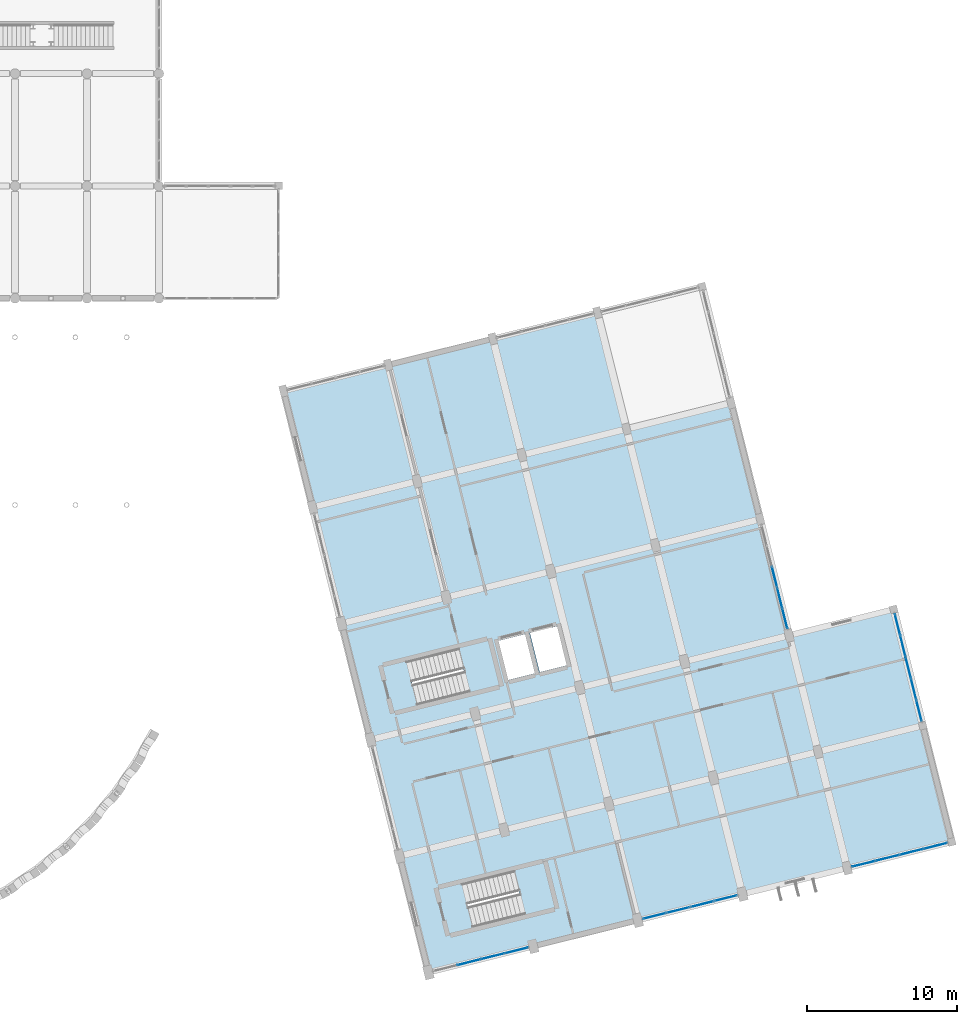
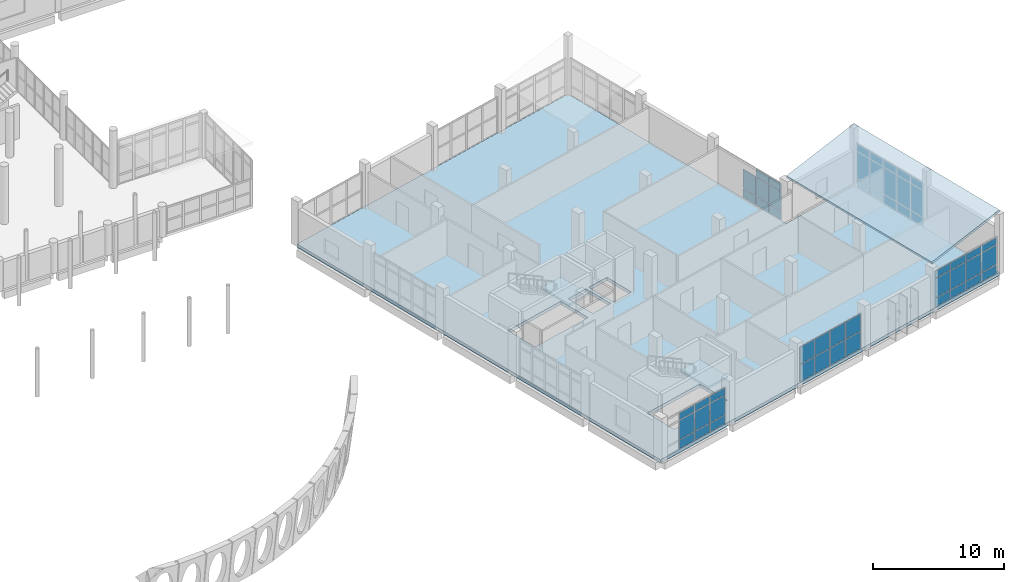
# One storey, part 136 of 164: 52 plates, 4 slabs, 7 elements without a shape of their own.
"""IFC4 building model written with IfcOpenShell, lengths in metres."""

from ifc_helpers import new_model, si_unit, direction, frame, origin, origin_2d, place, context, subcontext, project, spatial, polyline, rectangle, outline, extrude, material, layer, layer_set, type_object, element, aggregate, save


model = new_model("IFC4")

# Units and contexts
model_context = context("Model", 3, precision=1e-05, world=origin(), true_north=direction((0.0, 1.0)))
body_context = subcontext(model_context, "Body", "Model", "MODEL_VIEW")
ifc_project = project(units=[si_unit("LENGTHUNIT", "METRE"), si_unit("AREAUNIT", "SQUARE_METRE"), si_unit("VOLUMEUNIT", "CUBIC_METRE"), si_unit("PLANEANGLEUNIT", "RADIAN"), si_unit("MASSUNIT", "GRAM", prefix="KILO")], contexts=[model_context])

# Site, building, storey
site_placement = place(None, origin())
site = spatial("IfcSite", under=ifc_project, at=site_placement, CompositionType="ELEMENT")
building_placement = place(site_placement, origin())
building = spatial("IfcBuilding", under=site, at=building_placement, Name="Mawjan Specialist Oncology Clinic", CompositionType="ELEMENT")
storey_placement = place(building_placement, frame((0.0, 0.0, 5.0)))
storey = spatial("IfcBuildingStorey", under=building, at=storey_placement, Name="L01", CompositionType="ELEMENT", Elevation=5.0)

# Curtain wall, plates
ifc_material_1 = material(Name="Unitised spectrally selective aluminium curtain wall", Category="aluminium")
ifc_layer_1 = layer(ifc_material_1, 0.179931640625, Name="Unitised spectrally selective aluminium curtain wall", Category="aluminium")
ifc_layer_set_1 = layer_set([ifc_layer_1], Name="Unitised spectrally selective aluminium curtain wall")
curtain_wall_type_1 = type_object("IfcCurtainWallType", Name="CW-42", PredefinedType="NOTDEFINED", material=ifc_layer_set_1)
curtain_wall_1_placement = place(storey_placement, origin())
curtain_wall_1 = element("IfcCurtainWall", 1, at=curtain_wall_1_placement, inside=storey, type_object=curtain_wall_type_1, Name="L01 Unitised Curtain Wall CW-L01-086", PredefinedType="NOTDEFINED")
ifc_material_2 = material(Name="Spectrally selective double low-E glazing", Category="glass")
ifc_layer_2 = layer(ifc_material_2, 0.031982421875, Name="Spectrally selective double low-E glazing", Category="glass")
ifc_layer_set_2 = layer_set([ifc_layer_2], Name="Spectrally selective double low-E glazing")
plate_type = type_object("IfcPlateType", Name="CW-P32", PredefinedType="CURTAIN_PANEL", material=ifc_layer_set_2)
plate_1_placement = place(storey_placement, frame((157.309814453125, 24.031005859375, 0.070068359375), z_axis=(0.0, 0.0, 1.0), x_axis=(0.241921982459, -0.97029570462, 0.0)))
plate_1 = element("IfcPlate", 2, at=plate_1_placement, type_object=plate_type, Name="CW-42 panel 1.1", PredefinedType="CURTAIN_PANEL", context=body_context, shape_type="SweptSolid", body=[
    extrude(rectangle(XDim=1.386962890625, YDim=0.031982421875, at=origin_2d()), origin(), (0.0, 0.0, 1.0), 0.794921875),
])
plate_2_placement = place(storey_placement, frame((157.309814453125, 24.031005859375, 0.93505859375), z_axis=(0.0, 0.0, 1.0), x_axis=(0.241921982459, -0.97029570462, 0.0)))
plate_2 = element("IfcPlate", 3, at=plate_2_placement, type_object=plate_type, Name="CW-42 panel 1.2", PredefinedType="CURTAIN_PANEL", context=body_context, shape_type="SweptSolid", body=[
    extrude(rectangle(XDim=1.386962890625, YDim=0.031982421875, at=origin_2d()), origin(), (0.0, 0.0, 1.0), 2.449951171875),
])
plate_3_placement = place(storey_placement, frame((157.309814453125, 24.031005859375, 3.455078125), z_axis=(0.0, 0.0, 1.0), x_axis=(0.241921982459, -0.97029570462, 0.0)))
plate_3 = element("IfcPlate", 4, at=plate_3_placement, type_object=plate_type, Name="CW-42 panel 1.3", PredefinedType="CURTAIN_PANEL", context=body_context, shape_type="SweptSolid", body=[
    extrude(rectangle(XDim=1.386962890625, YDim=0.031982421875, at=origin_2d()), origin(), (0.0, 0.0, 1.0), 0.64501953125),
])
plate_4_placement = place(storey_placement, frame((157.666748046875, 22.600341796875, 0.070068359375), z_axis=(0.0, 0.0, 1.0), x_axis=(0.241921982459, -0.97029570462, 0.0)))
plate_4 = element("IfcPlate", 5, at=plate_4_placement, type_object=plate_type, Name="CW-42 panel 2.1", PredefinedType="CURTAIN_PANEL", context=body_context, shape_type="SweptSolid", body=[
    extrude(rectangle(XDim=1.422119140625, YDim=0.031982421875, at=origin_2d()), origin(), (0.0, 0.0, 1.0), 0.794921875),
])
plate_5_placement = place(storey_placement, frame((157.666748046875, 22.600341796875, 0.93505859375), z_axis=(0.0, 0.0, 1.0), x_axis=(0.241921982459, -0.97029570462, 0.0)))
plate_5 = element("IfcPlate", 6, at=plate_5_placement, type_object=plate_type, Name="CW-42 panel 2.2", PredefinedType="CURTAIN_PANEL", context=body_context, shape_type="SweptSolid", body=[
    extrude(rectangle(XDim=1.422119140625, YDim=0.031982421875, at=origin_2d()), origin(), (0.0, 0.0, 1.0), 2.449951171875),
])
plate_6_placement = place(storey_placement, frame((157.666748046875, 22.600341796875, 3.455078125), z_axis=(0.0, 0.0, 1.0), x_axis=(0.241921982459, -0.97029570462, 0.0)))
plate_6 = element("IfcPlate", 7, at=plate_6_placement, type_object=plate_type, Name="CW-42 panel 2.3", PredefinedType="CURTAIN_PANEL", context=body_context, shape_type="SweptSolid", body=[
    extrude(rectangle(XDim=1.422119140625, YDim=0.031982421875, at=origin_2d()), origin(), (0.0, 0.0, 1.0), 0.64501953125),
])
plate_7_placement = place(storey_placement, frame((158.027587890625, 21.15283203125, 0.070068359375), z_axis=(0.0, 0.0, 1.0), x_axis=(0.241921982459, -0.97029570462, 0.0)))
plate_7 = element("IfcPlate", 8, at=plate_7_placement, type_object=plate_type, Name="CW-42 panel 3.1", PredefinedType="CURTAIN_PANEL", context=body_context, shape_type="SweptSolid", body=[
    extrude(rectangle(XDim=1.422119140625, YDim=0.031982421875, at=origin_2d()), origin(), (0.0, 0.0, 1.0), 0.794921875),
])
plate_8_placement = place(storey_placement, frame((158.027587890625, 21.15283203125, 0.93505859375), z_axis=(0.0, 0.0, 1.0), x_axis=(0.241921982459, -0.97029570462, 0.0)))
plate_8 = element("IfcPlate", 9, at=plate_8_placement, type_object=plate_type, Name="CW-42 panel 3.2", PredefinedType="CURTAIN_PANEL", context=body_context, shape_type="SweptSolid", body=[
    extrude(rectangle(XDim=1.422119140625, YDim=0.031982421875, at=origin_2d()), origin(), (0.0, 0.0, 1.0), 2.449951171875),
])
plate_9_placement = place(storey_placement, frame((158.027587890625, 21.15283203125, 3.455078125), z_axis=(0.0, 0.0, 1.0), x_axis=(0.241921982459, -0.97029570462, 0.0)))
plate_9 = element("IfcPlate", 10, at=plate_9_placement, type_object=plate_type, Name="CW-42 panel 3.3", PredefinedType="CURTAIN_PANEL", context=body_context, shape_type="SweptSolid", body=[
    extrude(rectangle(XDim=1.422119140625, YDim=0.031982421875, at=origin_2d()), origin(), (0.0, 0.0, 1.0), 0.64501953125),
])
plate_10_placement = place(storey_placement, frame((158.388427734375, 19.705078125, 0.070068359375), z_axis=(0.0, 0.0, 1.0), x_axis=(0.241921982459, -0.97029570462, 0.0)))
plate_10 = element("IfcPlate", 11, at=plate_10_placement, type_object=plate_type, Name="CW-42 panel 4.1", PredefinedType="CURTAIN_PANEL", context=body_context, shape_type="SweptSolid", body=[
    extrude(rectangle(XDim=1.422119140625, YDim=0.031982421875, at=origin_2d()), origin(), (0.0, 0.0, 1.0), 0.794921875),
])
plate_11_placement = place(storey_placement, frame((158.388427734375, 19.705078125, 0.93505859375), z_axis=(0.0, 0.0, 1.0), x_axis=(0.241921982459, -0.97029570462, 0.0)))
plate_11 = element("IfcPlate", 12, at=plate_11_placement, type_object=plate_type, Name="CW-42 panel 4.2", PredefinedType="CURTAIN_PANEL", context=body_context, shape_type="SweptSolid", body=[
    extrude(rectangle(XDim=1.422119140625, YDim=0.031982421875, at=origin_2d()), origin(), (0.0, 0.0, 1.0), 2.449951171875),
])
plate_12_placement = place(storey_placement, frame((158.388427734375, 19.705078125, 3.455078125), z_axis=(0.0, 0.0, 1.0), x_axis=(0.241921982459, -0.97029570462, 0.0)))
plate_12 = element("IfcPlate", 13, at=plate_12_placement, type_object=plate_type, Name="CW-42 panel 4.3", PredefinedType="CURTAIN_PANEL", context=body_context, shape_type="SweptSolid", body=[
    extrude(rectangle(XDim=1.422119140625, YDim=0.031982421875, at=origin_2d()), origin(), (0.0, 0.0, 1.0), 0.64501953125),
])
plate_13_placement = place(storey_placement, frame((158.745361328125, 18.2744140625, 0.070068359375), z_axis=(0.0, 0.0, 1.0), x_axis=(0.241921982459, -0.97029570462, 0.0)))
plate_13 = element("IfcPlate", 14, at=plate_13_placement, type_object=plate_type, Name="CW-42 panel 5.1", PredefinedType="CURTAIN_PANEL", context=body_context, shape_type="SweptSolid", body=[
    extrude(rectangle(XDim=1.386962890625, YDim=0.031982421875, at=origin_2d()), origin(), (0.0, 0.0, 1.0), 0.794921875),
])
plate_14_placement = place(storey_placement, frame((158.745361328125, 18.2744140625, 0.93505859375), z_axis=(0.0, 0.0, 1.0), x_axis=(0.241921982459, -0.97029570462, 0.0)))
plate_14 = element("IfcPlate", 15, at=plate_14_placement, type_object=plate_type, Name="CW-42 panel 5.2", PredefinedType="CURTAIN_PANEL", context=body_context, shape_type="SweptSolid", body=[
    extrude(rectangle(XDim=1.386962890625, YDim=0.031982421875, at=origin_2d()), origin(), (0.0, 0.0, 1.0), 2.449951171875),
])
plate_15_placement = place(storey_placement, frame((158.745361328125, 18.2744140625, 3.455078125), z_axis=(0.0, 0.0, 1.0), x_axis=(0.241921982459, -0.97029570462, 0.0)))
plate_15 = element("IfcPlate", 16, at=plate_15_placement, type_object=plate_type, Name="CW-42 panel 5.3", PredefinedType="CURTAIN_PANEL", context=body_context, shape_type="SweptSolid", body=[
    extrude(rectangle(XDim=1.386962890625, YDim=0.031982421875, at=origin_2d()), origin(), (0.0, 0.0, 1.0), 0.64501953125),
])
aggregate(curtain_wall_1, [plate_1, plate_2, plate_3, plate_4, plate_5, plate_6, plate_7, plate_8, plate_9, plate_10, plate_11, plate_12, plate_13, plate_14, plate_15])

ifc_material_3 = material(Name="Unitised spectrally selective aluminium curtain wall", Category="aluminium")
ifc_layer_3 = layer(ifc_material_3, 0.179931640625, Name="Unitised spectrally selective aluminium curtain wall", Category="aluminium")
ifc_layer_set_3 = layer_set([ifc_layer_3], Name="Unitised spectrally selective aluminium curtain wall")
curtain_wall_type_2 = type_object("IfcCurtainWallType", Name="CW-43", PredefinedType="NOTDEFINED", material=ifc_layer_set_3)
curtain_wall_2_placement = place(storey_placement, origin())
curtain_wall_2 = element("IfcCurtainWall", 17, at=curtain_wall_2_placement, inside=storey, type_object=curtain_wall_type_2, Name="L01 Unitised Curtain Wall CW-L01-087", PredefinedType="NOTDEFINED")
plate_16_placement = place(storey_placement, frame((159.84814453125, 9.2392578125, 0.06494140625), z_axis=(0.0, 0.0, 1.0), x_axis=(-0.970295681751, -0.241922074178, 0.0)))
plate_16 = element("IfcPlate", 18, at=plate_16_placement, type_object=plate_type, Name="CW-43 panel 1.1", PredefinedType="CURTAIN_PANEL", context=body_context, shape_type="SweptSolid", body=[
    extrude(rectangle(XDim=1.561279296875, YDim=0.031982421875, at=origin_2d()), origin(), (0.0, 0.0, 1.0), 0.802490234375),
])
plate_17_placement = place(storey_placement, frame((159.84814453125, 9.2392578125, 0.932373046875), z_axis=(0.0, 0.0, 1.0), x_axis=(-0.970295681751, -0.241922074178, 0.0)))
plate_17 = element("IfcPlate", 19, at=plate_17_placement, type_object=plate_type, Name="CW-43 panel 1.2", PredefinedType="CURTAIN_PANEL", context=body_context, shape_type="SweptSolid", body=[
    extrude(rectangle(XDim=1.561279296875, YDim=0.031982421875, at=origin_2d()), origin(), (0.0, 0.0, 1.0), 1.77001953125),
])
plate_18_placement = place(storey_placement, frame((159.84814453125, 9.2392578125, 2.767578125), z_axis=(0.0, 0.0, 1.0), x_axis=(-0.970295681751, -0.241922074178, 0.0)))
plate_18 = element("IfcPlate", 20, at=plate_18_placement, type_object=plate_type, Name="CW-43 panel 1.3", PredefinedType="CURTAIN_PANEL", context=body_context, shape_type="SweptSolid", body=[
    extrude(rectangle(XDim=1.561279296875, YDim=0.031982421875, at=origin_2d()), origin(), (0.0, 0.0, 1.0), 0.652587890625),
])
plate_19_placement = place(storey_placement, frame((158.25439453125, 8.842041015625, 0.06494140625), z_axis=(0.0, 0.0, 1.0), x_axis=(-0.970295681751, -0.241922074178, 0.0)))
plate_19 = element("IfcPlate", 21, at=plate_19_placement, type_object=plate_type, Name="CW-43 panel 2.1", PredefinedType="CURTAIN_PANEL", context=body_context, shape_type="SweptSolid", body=[
    extrude(rectangle(XDim=1.59375, YDim=0.031982421875, at=origin_2d()), origin(), (0.0, 0.0, 1.0), 0.802490234375),
])
plate_20_placement = place(storey_placement, frame((158.25439453125, 8.842041015625, 0.932373046875), z_axis=(0.0, 0.0, 1.0), x_axis=(-0.970295681751, -0.241922074178, 0.0)))
plate_20 = element("IfcPlate", 22, at=plate_20_placement, type_object=plate_type, Name="CW-43 panel 2.2", PredefinedType="CURTAIN_PANEL", context=body_context, shape_type="SweptSolid", body=[
    extrude(rectangle(XDim=1.59375, YDim=0.031982421875, at=origin_2d()), origin(), (0.0, 0.0, 1.0), 1.77001953125),
])
plate_21_placement = place(storey_placement, frame((158.25439453125, 8.842041015625, 2.767578125), z_axis=(0.0, 0.0, 1.0), x_axis=(-0.970295681751, -0.241922074178, 0.0)))
plate_21 = element("IfcPlate", 23, at=plate_21_placement, type_object=plate_type, Name="CW-43 panel 2.3", PredefinedType="CURTAIN_PANEL", context=body_context, shape_type="SweptSolid", body=[
    extrude(rectangle(XDim=1.59375, YDim=0.031982421875, at=origin_2d()), origin(), (0.0, 0.0, 1.0), 0.652587890625),
])
plate_22_placement = place(storey_placement, frame((156.64501953125, 8.440673828125, 0.06494140625), z_axis=(0.0, 0.0, 1.0), x_axis=(-0.970295681751, -0.241922074178, 0.0)))
plate_22 = element("IfcPlate", 24, at=plate_22_placement, type_object=plate_type, Name="CW-43 panel 3.1", PredefinedType="CURTAIN_PANEL", context=body_context, shape_type="SweptSolid", body=[
    extrude(rectangle(XDim=1.59375, YDim=0.031982421875, at=origin_2d()), origin(), (0.0, 0.0, 1.0), 0.802490234375),
])
plate_23_placement = place(storey_placement, frame((156.64501953125, 8.440673828125, 0.932373046875), z_axis=(0.0, 0.0, 1.0), x_axis=(-0.970295681751, -0.241922074178, 0.0)))
plate_23 = element("IfcPlate", 25, at=plate_23_placement, type_object=plate_type, Name="CW-43 panel 3.2", PredefinedType="CURTAIN_PANEL", context=body_context, shape_type="SweptSolid", body=[
    extrude(rectangle(XDim=1.59375, YDim=0.031982421875, at=origin_2d()), origin(), (0.0, 0.0, 1.0), 1.77001953125),
])
plate_24_placement = place(storey_placement, frame((156.64501953125, 8.440673828125, 2.767578125), z_axis=(0.0, 0.0, 1.0), x_axis=(-0.970295681751, -0.241922074178, 0.0)))
plate_24 = element("IfcPlate", 26, at=plate_24_placement, type_object=plate_type, Name="CW-43 panel 3.3", PredefinedType="CURTAIN_PANEL", context=body_context, shape_type="SweptSolid", body=[
    extrude(rectangle(XDim=1.59375, YDim=0.031982421875, at=origin_2d()), origin(), (0.0, 0.0, 1.0), 0.652587890625),
])
plate_25_placement = place(storey_placement, frame((155.05126953125, 8.043212890625, 0.06494140625), z_axis=(0.0, 0.0, 1.0), x_axis=(-0.970295681751, -0.241922074178, 0.0)))
plate_25 = element("IfcPlate", 27, at=plate_25_placement, type_object=plate_type, Name="CW-43 panel 4.1", PredefinedType="CURTAIN_PANEL", context=body_context, shape_type="SweptSolid", body=[
    extrude(rectangle(XDim=1.561279296875, YDim=0.031982421875, at=origin_2d()), origin(), (0.0, 0.0, 1.0), 0.802490234375),
])
plate_26_placement = place(storey_placement, frame((155.05126953125, 8.043212890625, 0.932373046875), z_axis=(0.0, 0.0, 1.0), x_axis=(-0.970295681751, -0.241922074178, 0.0)))
plate_26 = element("IfcPlate", 28, at=plate_26_placement, type_object=plate_type, Name="CW-43 panel 4.2", PredefinedType="CURTAIN_PANEL", context=body_context, shape_type="SweptSolid", body=[
    extrude(rectangle(XDim=1.561279296875, YDim=0.031982421875, at=origin_2d()), origin(), (0.0, 0.0, 1.0), 1.77001953125),
])
plate_27_placement = place(storey_placement, frame((155.05126953125, 8.043212890625, 2.767578125), z_axis=(0.0, 0.0, 1.0), x_axis=(-0.970295681751, -0.241922074178, 0.0)))
plate_27 = element("IfcPlate", 29, at=plate_27_placement, type_object=plate_type, Name="CW-43 panel 4.3", PredefinedType="CURTAIN_PANEL", context=body_context, shape_type="SweptSolid", body=[
    extrude(rectangle(XDim=1.561279296875, YDim=0.031982421875, at=origin_2d()), origin(), (0.0, 0.0, 1.0), 0.652587890625),
])
aggregate(curtain_wall_2, [plate_16, plate_17, plate_18, plate_19, plate_20, plate_21, plate_22, plate_23, plate_24, plate_25, plate_26, plate_27])

ifc_material_4 = material(Name="Unitised spectrally selective aluminium curtain wall", Category="aluminium")
ifc_layer_4 = layer(ifc_material_4, 0.179931640625, Name="Unitised spectrally selective aluminium curtain wall", Category="aluminium")
ifc_layer_set_4 = layer_set([ifc_layer_4], Name="Unitised spectrally selective aluminium curtain wall")
curtain_wall_type_3 = type_object("IfcCurtainWallType", Name="CW-44", PredefinedType="NOTDEFINED", material=ifc_layer_set_4)
curtain_wall_3_placement = place(storey_placement, origin())
curtain_wall_3 = element("IfcCurtainWall", 30, at=curtain_wall_3_placement, inside=storey, type_object=curtain_wall_type_3, Name="L01 Unitised Curtain Wall CW-L01-088", PredefinedType="NOTDEFINED")
plate_28_placement = place(storey_placement, frame((145.83642578125, 5.745849609375, 0.06494140625), z_axis=(0.0, 0.0, 1.0), x_axis=(-0.970295713537, -0.241921946692, 0.0)))
plate_28 = element("IfcPlate", 31, at=plate_28_placement, type_object=plate_type, Name="CW-44 panel 1.1", PredefinedType="CURTAIN_PANEL", context=body_context, shape_type="SweptSolid", body=[
    extrude(rectangle(XDim=1.54248046875, YDim=0.031982421875, at=origin_2d()), origin(), (0.0, 0.0, 1.0), 1.594970703125),
])
plate_29_placement = place(storey_placement, frame((145.83642578125, 5.745849609375, 1.72509765625), z_axis=(0.0, 0.0, 1.0), x_axis=(-0.970295713537, -0.241921946692, 0.0)))
plate_29 = element("IfcPlate", 32, at=plate_29_placement, type_object=plate_type, Name="CW-44 panel 1.2", PredefinedType="CURTAIN_PANEL", context=body_context, shape_type="SweptSolid", body=[
    extrude(rectangle(XDim=1.54248046875, YDim=0.031982421875, at=origin_2d()), origin(), (0.0, 0.0, 1.0), 1.594970703125),
])
plate_30_placement = place(storey_placement, frame((144.260986328125, 5.35302734375, 0.06494140625), z_axis=(0.0, 0.0, 1.0), x_axis=(-0.970295713537, -0.241921946692, 0.0)))
plate_30 = element("IfcPlate", 33, at=plate_30_placement, type_object=plate_type, Name="CW-44 panel 2.1", PredefinedType="CURTAIN_PANEL", context=body_context, shape_type="SweptSolid", body=[
    extrude(rectangle(XDim=1.574951171875, YDim=0.031982421875, at=origin_2d()), origin(), (0.0, 0.0, 1.0), 1.594970703125),
])
plate_31_placement = place(storey_placement, frame((144.260986328125, 5.35302734375, 1.72509765625), z_axis=(0.0, 0.0, 1.0), x_axis=(-0.970295713537, -0.241921946692, 0.0)))
plate_31 = element("IfcPlate", 34, at=plate_31_placement, type_object=plate_type, Name="CW-44 panel 2.2", PredefinedType="CURTAIN_PANEL", context=body_context, shape_type="SweptSolid", body=[
    extrude(rectangle(XDim=1.574951171875, YDim=0.031982421875, at=origin_2d()), origin(), (0.0, 0.0, 1.0), 1.594970703125),
])
plate_32_placement = place(storey_placement, frame((142.669677734375, 4.956298828125, 0.06494140625), z_axis=(0.0, 0.0, 1.0), x_axis=(-0.970295713537, -0.241921946692, 0.0)))
plate_32 = element("IfcPlate", 35, at=plate_32_placement, type_object=plate_type, Name="CW-44 panel 3.1", PredefinedType="CURTAIN_PANEL", context=body_context, shape_type="SweptSolid", body=[
    extrude(rectangle(XDim=1.574951171875, YDim=0.031982421875, at=origin_2d()), origin(), (0.0, 0.0, 1.0), 1.594970703125),
])
plate_33_placement = place(storey_placement, frame((142.669677734375, 4.956298828125, 1.72509765625), z_axis=(0.0, 0.0, 1.0), x_axis=(-0.970295713537, -0.241921946692, 0.0)))
plate_33 = element("IfcPlate", 36, at=plate_33_placement, type_object=plate_type, Name="CW-44 panel 3.2", PredefinedType="CURTAIN_PANEL", context=body_context, shape_type="SweptSolid", body=[
    extrude(rectangle(XDim=1.574951171875, YDim=0.031982421875, at=origin_2d()), origin(), (0.0, 0.0, 1.0), 1.594970703125),
])
plate_34_placement = place(storey_placement, frame((141.09423828125, 4.5634765625, 0.06494140625), z_axis=(0.0, 0.0, 1.0), x_axis=(-0.970295713537, -0.241921946692, 0.0)))
plate_34 = element("IfcPlate", 37, at=plate_34_placement, type_object=plate_type, Name="CW-44 panel 4.1", PredefinedType="CURTAIN_PANEL", context=body_context, shape_type="SweptSolid", body=[
    extrude(rectangle(XDim=1.54248046875, YDim=0.031982421875, at=origin_2d()), origin(), (0.0, 0.0, 1.0), 1.594970703125),
])
plate_35_placement = place(storey_placement, frame((141.09423828125, 4.5634765625, 1.72509765625), z_axis=(0.0, 0.0, 1.0), x_axis=(-0.970295713537, -0.241921946692, 0.0)))
plate_35 = element("IfcPlate", 38, at=plate_35_placement, type_object=plate_type, Name="CW-44 panel 4.2", PredefinedType="CURTAIN_PANEL", context=body_context, shape_type="SweptSolid", body=[
    extrude(rectangle(XDim=1.54248046875, YDim=0.031982421875, at=origin_2d()), origin(), (0.0, 0.0, 1.0), 1.594970703125),
])
aggregate(curtain_wall_3, [plate_28, plate_29, plate_30, plate_31, plate_32, plate_33, plate_34, plate_35])

ifc_material_5 = material(Name="Unitised spectrally selective aluminium curtain wall", Category="aluminium")
ifc_layer_5 = layer(ifc_material_5, 0.179931640625, Name="Unitised spectrally selective aluminium curtain wall", Category="aluminium")
ifc_layer_set_5 = layer_set([ifc_layer_5], Name="Unitised spectrally selective aluminium curtain wall")
curtain_wall_type_4 = type_object("IfcCurtainWallType", Name="CW-45", PredefinedType="NOTDEFINED", material=ifc_layer_set_5)
curtain_wall_4_placement = place(storey_placement, origin())
curtain_wall_4 = element("IfcCurtainWall", 39, at=curtain_wall_4_placement, inside=storey, type_object=curtain_wall_type_4, Name="L01 Unitised Curtain Wall CW-L01-089", PredefinedType="NOTDEFINED")
plate_36_placement = place(storey_placement, frame((131.8642578125, 2.26220703125, 0.06494140625), z_axis=(0.0, 0.0, 1.0), x_axis=(-0.970295704615, -0.241921982475, 0.0)))
plate_36 = element("IfcPlate", 40, at=plate_36_placement, type_object=plate_type, Name="CW-45 panel 1.1", PredefinedType="CURTAIN_PANEL", context=body_context, shape_type="SweptSolid", body=[
    extrude(rectangle(XDim=1.54248046875, YDim=0.031982421875, at=origin_2d()), origin(), (0.0, 0.0, 1.0), 0.802490234375),
])
plate_37_placement = place(storey_placement, frame((131.8642578125, 2.26220703125, 0.932373046875), z_axis=(0.0, 0.0, 1.0), x_axis=(-0.970295704615, -0.241921982475, 0.0)))
plate_37 = element("IfcPlate", 41, at=plate_37_placement, type_object=plate_type, Name="CW-45 panel 1.2", PredefinedType="CURTAIN_PANEL", context=body_context, shape_type="SweptSolid", body=[
    extrude(rectangle(XDim=1.54248046875, YDim=0.031982421875, at=origin_2d()), origin(), (0.0, 0.0, 1.0), 1.77001953125),
])
plate_38_placement = place(storey_placement, frame((131.8642578125, 2.26220703125, 2.767578125), z_axis=(0.0, 0.0, 1.0), x_axis=(-0.970295704615, -0.241921982475, 0.0)))
plate_38 = element("IfcPlate", 42, at=plate_38_placement, type_object=plate_type, Name="CW-45 panel 1.3", PredefinedType="CURTAIN_PANEL", context=body_context, shape_type="SweptSolid", body=[
    extrude(rectangle(XDim=1.54248046875, YDim=0.031982421875, at=origin_2d()), origin(), (0.0, 0.0, 1.0), 0.652587890625),
])
plate_39_placement = place(storey_placement, frame((130.288818359375, 1.869384765625, 0.06494140625), z_axis=(0.0, 0.0, 1.0), x_axis=(-0.970295704615, -0.241921982475, 0.0)))
plate_39 = element("IfcPlate", 43, at=plate_39_placement, type_object=plate_type, Name="CW-45 panel 2.1", PredefinedType="CURTAIN_PANEL", context=body_context, shape_type="SweptSolid", body=[
    extrude(rectangle(XDim=1.574951171875, YDim=0.031982421875, at=origin_2d()), origin(), (0.0, 0.0, 1.0), 0.802490234375),
])
plate_40_placement = place(storey_placement, frame((130.288818359375, 1.869384765625, 0.932373046875), z_axis=(0.0, 0.0, 1.0), x_axis=(-0.970295704615, -0.241921982475, 0.0)))
plate_40 = element("IfcPlate", 44, at=plate_40_placement, type_object=plate_type, Name="CW-45 panel 2.2", PredefinedType="CURTAIN_PANEL", context=body_context, shape_type="SweptSolid", body=[
    extrude(rectangle(XDim=1.574951171875, YDim=0.031982421875, at=origin_2d()), origin(), (0.0, 0.0, 1.0), 1.77001953125),
])
plate_41_placement = place(storey_placement, frame((130.288818359375, 1.869384765625, 2.767578125), z_axis=(0.0, 0.0, 1.0), x_axis=(-0.970295704615, -0.241921982475, 0.0)))
plate_41 = element("IfcPlate", 45, at=plate_41_placement, type_object=plate_type, Name="CW-45 panel 2.3", PredefinedType="CURTAIN_PANEL", context=body_context, shape_type="SweptSolid", body=[
    extrude(rectangle(XDim=1.574951171875, YDim=0.031982421875, at=origin_2d()), origin(), (0.0, 0.0, 1.0), 0.652587890625),
])
plate_42_placement = place(storey_placement, frame((128.697509765625, 1.47265625, 0.06494140625), z_axis=(0.0, 0.0, 1.0), x_axis=(-0.970295704615, -0.241921982475, 0.0)))
plate_42 = element("IfcPlate", 46, at=plate_42_placement, type_object=plate_type, Name="CW-45 panel 3.1", PredefinedType="CURTAIN_PANEL", context=body_context, shape_type="SweptSolid", body=[
    extrude(rectangle(XDim=1.574951171875, YDim=0.031982421875, at=origin_2d()), origin(), (0.0, 0.0, 1.0), 0.802490234375),
])
plate_43_placement = place(storey_placement, frame((128.697509765625, 1.47265625, 0.932373046875), z_axis=(0.0, 0.0, 1.0), x_axis=(-0.970295704615, -0.241921982475, 0.0)))
plate_43 = element("IfcPlate", 47, at=plate_43_placement, type_object=plate_type, Name="CW-45 panel 3.2", PredefinedType="CURTAIN_PANEL", context=body_context, shape_type="SweptSolid", body=[
    extrude(rectangle(XDim=1.574951171875, YDim=0.031982421875, at=origin_2d()), origin(), (0.0, 0.0, 1.0), 1.77001953125),
])
plate_44_placement = place(storey_placement, frame((128.697509765625, 1.47265625, 2.767578125), z_axis=(0.0, 0.0, 1.0), x_axis=(-0.970295704615, -0.241921982475, 0.0)))
plate_44 = element("IfcPlate", 48, at=plate_44_placement, type_object=plate_type, Name="CW-45 panel 3.3", PredefinedType="CURTAIN_PANEL", context=body_context, shape_type="SweptSolid", body=[
    extrude(rectangle(XDim=1.574951171875, YDim=0.031982421875, at=origin_2d()), origin(), (0.0, 0.0, 1.0), 0.652587890625),
])
aggregate(curtain_wall_4, [plate_36, plate_37, plate_38, plate_39, plate_40, plate_41, plate_42, plate_43, plate_44])

ifc_material_6 = material(Name="Unitised spectrally selective aluminium curtain wall", Category="aluminium")
ifc_layer_6 = layer(ifc_material_6, 0.179931640625, Name="Unitised spectrally selective aluminium curtain wall", Category="aluminium")
ifc_layer_set_6 = layer_set([ifc_layer_6], Name="Unitised spectrally selective aluminium curtain wall")
curtain_wall_type_5 = type_object("IfcCurtainWallType", Name="CW-51", PredefinedType="NOTDEFINED", material=ifc_layer_set_6)
curtain_wall_5_placement = place(storey_placement, origin())
curtain_wall_5 = element("IfcCurtainWall", 49, at=curtain_wall_5_placement, inside=storey, type_object=curtain_wall_type_5, Name="L01 Unitised Curtain Wall CW-L01-096", PredefinedType="NOTDEFINED")
plate_45_placement = place(storey_placement, frame((149.10009765625, 27.197509765625, 0.06494140625), z_axis=(0.0, 0.0, 1.0), x_axis=(0.241922037344, -0.970295690935, 0.0)))
plate_45 = element("IfcPlate", 50, at=plate_45_placement, type_object=plate_type, Name="CW-51 panel 3.1", PredefinedType="CURTAIN_PANEL", context=body_context, shape_type="SweptSolid", body=[
    extrude(rectangle(XDim=1.366943359375, YDim=0.031982421875, at=origin_2d()), origin(), (0.0, 0.0, 1.0), 0.802490234375),
])
plate_46_placement = place(storey_placement, frame((149.10009765625, 27.197509765625, 0.932373046875), z_axis=(0.0, 0.0, 1.0), x_axis=(0.241922037344, -0.970295690935, 0.0)))
plate_46 = element("IfcPlate", 51, at=plate_46_placement, type_object=plate_type, Name="CW-51 panel 3.2", PredefinedType="CURTAIN_PANEL", context=body_context, shape_type="SweptSolid", body=[
    extrude(rectangle(XDim=1.366943359375, YDim=0.031982421875, at=origin_2d()), origin(), (0.0, 0.0, 1.0), 1.77001953125),
])
plate_47_placement = place(storey_placement, frame((149.446533203125, 25.80810546875, 0.06494140625), z_axis=(0.0, 0.0, 1.0), x_axis=(0.241922037344, -0.970295690935, 0.0)))
plate_47 = element("IfcPlate", 52, at=plate_47_placement, type_object=plate_type, Name="CW-51 panel 4.1", PredefinedType="CURTAIN_PANEL", context=body_context, shape_type="SweptSolid", body=[
    extrude(rectangle(XDim=1.366943359375, YDim=0.031982421875, at=origin_2d()), origin(), (0.0, 0.0, 1.0), 0.802490234375),
])
plate_48_placement = place(storey_placement, frame((149.446533203125, 25.80810546875, 0.932373046875), z_axis=(0.0, 0.0, 1.0), x_axis=(0.241922037344, -0.970295690935, 0.0)))
plate_48 = element("IfcPlate", 53, at=plate_48_placement, type_object=plate_type, Name="CW-51 panel 4.2", PredefinedType="CURTAIN_PANEL", context=body_context, shape_type="SweptSolid", body=[
    extrude(rectangle(XDim=1.366943359375, YDim=0.031982421875, at=origin_2d()), origin(), (0.0, 0.0, 1.0), 1.77001953125),
])
plate_49_placement = place(storey_placement, frame((149.446533203125, 25.80810546875, 2.767578125), z_axis=(0.0, 0.0, 1.0), x_axis=(0.241922037344, -0.970295690935, 0.0)))
plate_49 = element("IfcPlate", 54, at=plate_49_placement, type_object=plate_type, Name="CW-51 panel 4.3", PredefinedType="CURTAIN_PANEL", context=body_context, shape_type="SweptSolid", body=[
    extrude(rectangle(XDim=1.366943359375, YDim=0.031982421875, at=origin_2d()), origin(), (0.0, 0.0, 1.0), 0.652587890625),
])
plate_50_placement = place(storey_placement, frame((149.7890625, 24.434326171875, 0.06494140625), z_axis=(0.0, 0.0, 1.0), x_axis=(0.241922037344, -0.970295690935, 0.0)))
plate_50 = element("IfcPlate", 55, at=plate_50_placement, type_object=plate_type, Name="CW-51 panel 5.1", PredefinedType="CURTAIN_PANEL", context=body_context, shape_type="SweptSolid", body=[
    extrude(rectangle(XDim=1.33447265625, YDim=0.031982421875, at=origin_2d()), origin(), (0.0, 0.0, 1.0), 0.802490234375),
])
plate_51_placement = place(storey_placement, frame((149.7890625, 24.434326171875, 0.932373046875), z_axis=(0.0, 0.0, 1.0), x_axis=(0.241922037344, -0.970295690935, 0.0)))
plate_51 = element("IfcPlate", 56, at=plate_51_placement, type_object=plate_type, Name="CW-51 panel 5.2", PredefinedType="CURTAIN_PANEL", context=body_context, shape_type="SweptSolid", body=[
    extrude(rectangle(XDim=1.33447265625, YDim=0.031982421875, at=origin_2d()), origin(), (0.0, 0.0, 1.0), 1.77001953125),
])
plate_52_placement = place(storey_placement, frame((149.7890625, 24.434326171875, 2.767578125), z_axis=(0.0, 0.0, 1.0), x_axis=(0.241922037344, -0.970295690935, 0.0)))
plate_52 = element("IfcPlate", 57, at=plate_52_placement, type_object=plate_type, Name="CW-51 panel 5.3", PredefinedType="CURTAIN_PANEL", context=body_context, shape_type="SweptSolid", body=[
    extrude(rectangle(XDim=1.33447265625, YDim=0.031982421875, at=origin_2d()), origin(), (0.0, 0.0, 1.0), 0.652587890625),
])
aggregate(curtain_wall_5, [plate_45, plate_46, plate_47, plate_48, plate_49, plate_50, plate_51, plate_52])

# Slab
ifc_material_7 = material(Name="Concrete C35/45", Category="concrete")
ifc_layer_7 = layer(ifc_material_7, 0.300048828125, Name="Concrete C35/45", Category="concrete")
ifc_layer_set_7 = layer_set([ifc_layer_7], Name="Concrete C35/45")
slab_type_1 = type_object("IfcSlabType", Name="FS-300R", PredefinedType="FLOOR", material=ifc_layer_set_7)
slab_1_placement = place(storey_placement, frame((0.0, 0.0, -0.300048828125)))
element("IfcSlab", 58, at=slab_1_placement, inside=storey, type_object=slab_type_1, Name="L01 Research and Teaching Wing Slab SLB-V6-L01", PredefinedType="FLOOR", context=body_context, shape_type="SweptSolid", body=[
    extrude(outline(polyline([(126.0, 0.800048828125), (160.9306640625, 9.50927734375), (157.059814453125, 25.033935546875), (150.07373046875, 23.2919921875), (144.267578125, 46.5791015625), (116.3232421875, 39.61181640625), (126.0, 0.800048828125)]), holes=[polyline([(125.259521484375, 18.651123046875), (130.693115234375, 20.005859375), (129.96728515625, 22.916748046875), (124.53369140625, 21.56201171875), (125.259521484375, 18.651123046875)]), polyline([(131.28759765625, 20.30859375), (133.131103515625, 20.768310546875), (132.477783203125, 23.38818359375), (130.63427734375, 22.928466796875), (131.28759765625, 20.30859375)]), polyline([(133.422119140625, 20.8408203125), (135.265625, 21.300537109375), (134.612548828125, 23.92041015625), (132.76904296875, 23.460693359375), (133.422119140625, 20.8408203125)]), polyline([(128.9609375, 3.8056640625), (134.39453125, 5.160400390625), (133.668701171875, 8.0712890625), (128.235107421875, 6.716552734375), (128.9609375, 3.8056640625)])]), origin(), (0.0, 0.0, 1.0), 0.300048828125),
])

# Stair, slab
ifc_material_8 = material(Name="Concrete C35/45", Category="concrete")
stair_type = type_object("IfcStairType", Name="STR-CORE45", PredefinedType="HALF_TURN_STAIR", material=ifc_material_8)
stair_1_placement = place(storey_placement, origin())
stair_1 = element("IfcStair", 59, at=stair_1_placement, inside=storey, type_object=stair_type, Name="L01 Exit Stair ST-05", PredefinedType="HALF_TURN_STAIR")
ifc_material_9 = material(Name="Concrete C35/45", Category="concrete")
ifc_layer_8 = layer(ifc_material_9, 0.199951171875, Name="Concrete C35/45", Category="concrete")
ifc_layer_set_8 = layer_set([ifc_layer_8], Name="Concrete C35/45")
slab_type_2 = type_object("IfcSlabType", Name="LND-200", PredefinedType="LANDING", material=ifc_layer_set_8)
slab_2_placement = place(storey_placement, frame((0.0, 0.0, 2.050048828125)))
slab_2 = element("IfcSlab", 60, at=slab_2_placement, type_object=slab_type_2, Name="ST-05 landing 1", PredefinedType="LANDING", context=body_context, shape_type="SweptSolid", body=[
    extrude(outline(polyline([(128.732177734375, 19.465576171875), (130.737548828125, 19.965576171875), (129.987548828125, 22.97314453125), (127.982421875, 22.473388671875), (128.732177734375, 19.465576171875)])), origin(), (0.0, 0.0, 1.0), 0.199951171875),
])
aggregate(stair_1, [slab_2])

stair_2_placement = place(storey_placement, origin())
stair_2 = element("IfcStair", 61, at=stair_2_placement, inside=storey, type_object=stair_type, Name="L01 Exit Stair ST-06", PredefinedType="HALF_TURN_STAIR")
slab_3_placement = place(storey_placement, frame((0.0, 0.0, 2.050048828125)))
slab_3 = element("IfcSlab", 62, at=slab_3_placement, type_object=slab_type_2, Name="ST-06 landing 1", PredefinedType="LANDING", context=body_context, shape_type="SweptSolid", body=[
    extrude(outline(polyline([(132.43359375, 4.6201171875), (134.43896484375, 5.119873046875), (133.68896484375, 8.127685546875), (131.683837890625, 7.627685546875), (132.43359375, 4.6201171875)])), origin(), (0.0, 0.0, 1.0), 0.199951171875),
])
aggregate(stair_2, [slab_3])

# Slab
ifc_material_10 = material(Name="Concrete C35/45", Category="concrete")
ifc_layer_9 = layer(ifc_material_10, 0.219970703125, Name="Concrete C35/45", Category="concrete")
ifc_layer_set_9 = layer_set([ifc_layer_9], Name="Concrete C35/45")
slab_type_3 = type_object("IfcSlabType", Name="RF-SLP220", PredefinedType="ROOF", material=ifc_layer_set_9)
slab_4_placement = place(storey_placement, frame((153.9638671875, 7.772216796875, 4.429931640625), z_axis=(-0.184436991134, -0.04598525336, 0.981767972983), x_axis=(-0.24191470826, 0.970297518252, 1.381497e-06)))
element("IfcSlab", 63, at=slab_4_placement, inside=storey, type_object=slab_type_3, Name="Research Wing L01 South-East Sloped Roof", PredefinedType="ROOF", context=body_context, shape_type="SweptSolid", body=[
    extrude(outline(polyline([(0.0, 0.0), (15.9998937189616, -8.881784197001252e-16), (16.0000496048013, -7.313187842271467), (9.682463163019557e-05, -7.3134204123620945), (0.0, 0.0)])), origin(), (0.0, 0.0, -1.0), 0.219970703125),
])

save(model, "model.ifc")
